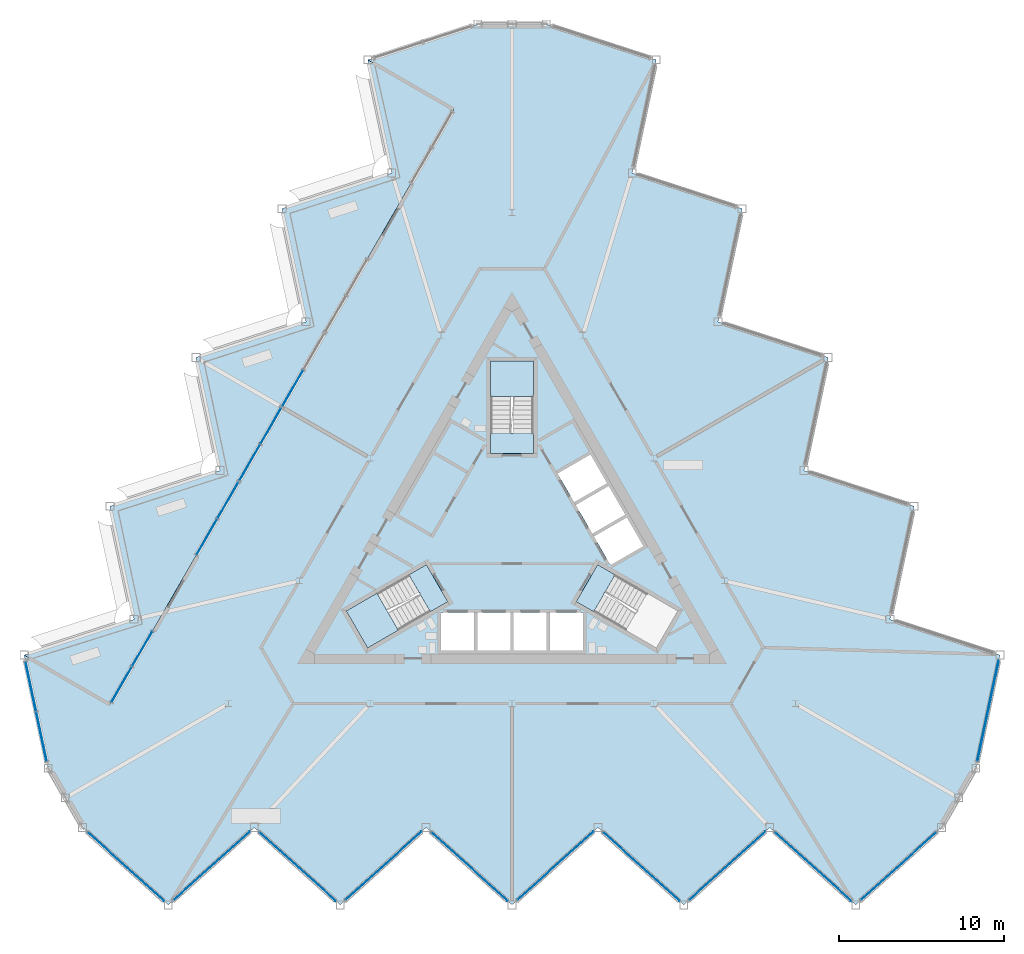
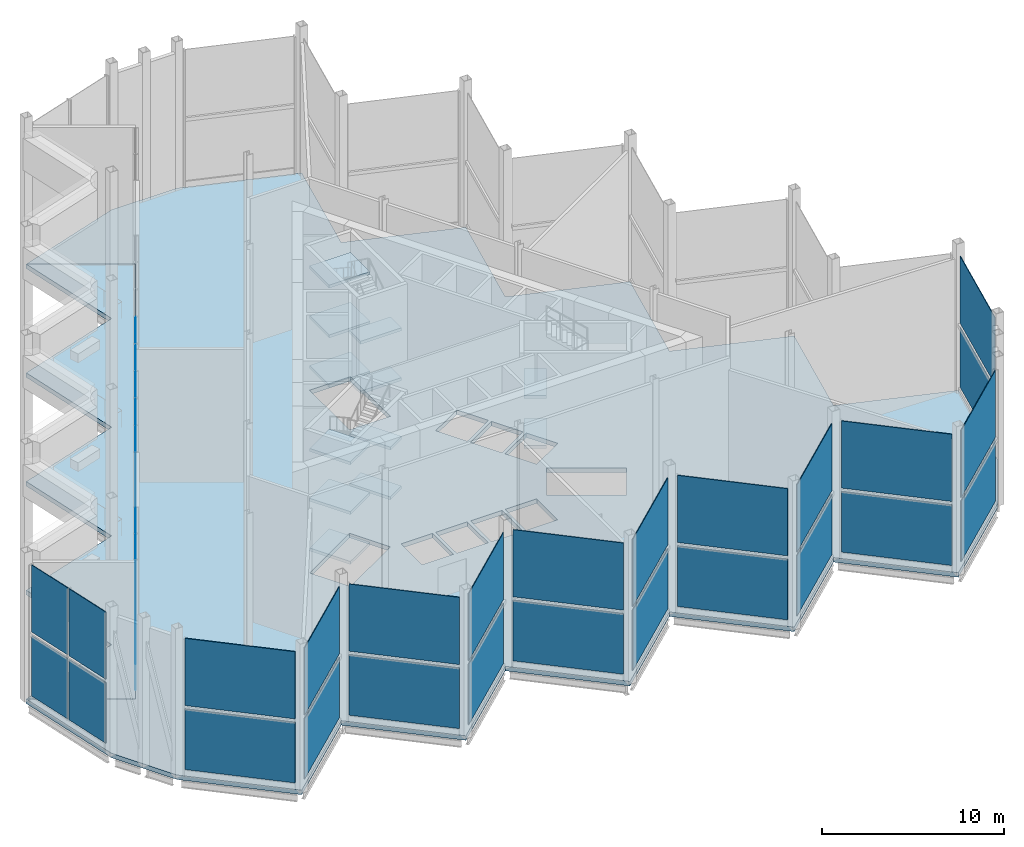
# One storey, part 7 of 18: 40 plates, 14 slabs, 10 elements without a shape of their own.
"""IFC4 building model written with IfcOpenShell, lengths in metres."""

from ifc_helpers import new_model, si_unit, direction, frame, origin, origin_2d, place, context, subcontext, project, spatial, polyline, rectangle, outline, extrude, material, layer, layer_set, type_object, element, aggregate, save


model = new_model("IFC4")

# Units and contexts
model_context = context("Model", 3, precision=1e-05, world=origin(), true_north=direction((0.0, 1.0)))
body_context = subcontext(model_context, "Body", "Model", "MODEL_VIEW")
ifc_project = project(units=[si_unit("LENGTHUNIT", "METRE"), si_unit("AREAUNIT", "SQUARE_METRE"), si_unit("VOLUMEUNIT", "CUBIC_METRE"), si_unit("PLANEANGLEUNIT", "RADIAN"), si_unit("MASSUNIT", "GRAM", prefix="KILO")], contexts=[model_context])

# Site, building, storey
site_placement = place(None, origin())
site = spatial("IfcSite", under=ifc_project, at=site_placement, CompositionType="ELEMENT")
building_placement = place(site_placement, origin())
building = spatial("IfcBuilding", under=site, at=building_placement, Name="Cormorant Prow Tower", CompositionType="ELEMENT")
storey_placement = place(building_placement, frame((0.0, 0.0, 405.199951171875)))
storey = spatial("IfcBuildingStorey", under=building, at=storey_placement, Name="L93", CompositionType="ELEMENT", Elevation=405.199951171875)

# Slab
ifc_material_1 = material(Name="Concrete C40/50", Category="concrete")
ifc_layer_1 = layer(ifc_material_1, 0.300048828125)
ifc_layer_set_1 = layer_set([ifc_layer_1], Name="Concrete C40/50")
slab_type_1 = type_object("IfcSlabType", Name="Post-tensioned flat slab 300", PredefinedType="FLOOR", material=ifc_layer_set_1)
slab_1_placement = place(storey_placement, frame((0.0, 0.0, -0.300048828125)))
element("IfcSlab", 1, at=slab_1_placement, inside=storey, type_object=slab_type_1, Name="Floor slab L93", PredefinedType="FLOOR", context=body_context, shape_type="SweptSolid", body=[
    extrude(outline(polyline([(22.873779296875, -4.80712890625), (24.32861328125, 2.037353515625), (17.673828125, 4.199462890625), (19.128662109375, 11.0439453125), (12.473876953125, 13.206298828125), (13.9287109375, 20.050537109375), (7.273681640625, 22.212890625), (8.728515625, 29.05712890625), (2.07373046875, 31.219482421875), (0.0, 31.219482421875), (-2.07373046875, 31.219482421875), (-8.728515625, 29.05712890625), (-3.532470703125, 26.05712890625), (-24.33251953125, -9.969482421875), (-29.528564453125, -6.969482421875), (-28.07373046875, -13.813720703125), (-27.036865234375, -15.60986328125), (-26.0, -17.40576171875), (-20.800048828125, -22.087890625), (-15.60009765625, -17.40576171875), (-10.39990234375, -22.087890625), (-5.199951171875, -17.40576171875), (0.0, -22.087890625), (5.199951171875, -17.40576171875), (10.39990234375, -22.087890625), (15.60009765625, -17.40576171875), (20.800048828125, -22.087890625), (26.0, -17.40576171875), (27.036865234375, -15.60986328125), (28.07373046875, -13.813720703125), (29.528564453125, -6.969482421875), (22.873779296875, -4.80712890625)]), holes=[polyline([(-4.300048828125, -4.39990234375), (-2.300048828125, -4.39990234375), (-2.300048828125, -6.699951171875), (-4.300048828125, -6.699951171875), (-4.300048828125, -4.39990234375)]), polyline([(-0.10009765625, -4.39990234375), (-0.10009765625, -6.699951171875), (-2.10009765625, -6.699951171875), (-2.10009765625, -4.39990234375), (-0.10009765625, -4.39990234375)]), polyline([(2.10009765625, -6.699951171875), (0.10009765625, -6.699951171875), (0.10009765625, -4.39990234375), (2.10009765625, -4.39990234375), (2.10009765625, -6.699951171875)]), polyline([(2.300048828125, -6.699951171875), (2.300048828125, -4.39990234375), (4.300048828125, -4.39990234375), (4.300048828125, -6.699951171875), (2.300048828125, -6.699951171875)]), polyline([(5.96044921875, -1.52392578125), (4.96044921875, 0.2080078125), (6.952392578125, 1.358154296875), (7.952392578125, -0.373779296875), (5.96044921875, -1.52392578125)]), polyline([(3.860595703125, 2.11328125), (5.852294921875, 3.263427734375), (6.852294921875, 1.53125), (4.860595703125, 0.38134765625), (3.860595703125, 2.11328125)]), polyline([(4.75244140625, 5.168701171875), (5.75244140625, 3.4365234375), (3.760498046875, 2.28662109375), (2.760498046875, 4.018798828125), (4.75244140625, 5.168701171875)]), polyline([(-4.947509765625, -4.3505859375), (-8.738037109375, -6.5390625), (-10.031982421875, -4.2978515625), (-6.241455078125, -2.109375), (-4.947509765625, -4.3505859375)]), polyline([(10.031982421875, -4.2978515625), (8.738037109375, -6.5390625), (4.947509765625, -4.3505859375), (6.241455078125, -2.109375), (10.031982421875, -4.2978515625)]), polyline([(1.2939453125, 10.8369140625), (1.2939453125, 6.459716796875), (-1.2939453125, 6.459716796875), (-1.2939453125, 10.8369140625), (1.2939453125, 10.8369140625)])]), origin(), (0.0, 0.0, 1.0), 0.300048828125),
])

# Curtain wall, plates
ifc_material_2 = material(Name="Aluminium 6063-T6", Category="aluminium")
ifc_layer_2 = layer(ifc_material_2, 0.300048828125)
ifc_layer_set_2 = layer_set([ifc_layer_2], Name="Aluminium 6063-T6")
curtain_wall_type = type_object("IfcCurtainWallType", Name="Sky lobby unitised curtain wall 300", PredefinedType="NOTDEFINED", material=ifc_layer_set_2)
curtain_wall_1_placement = place(storey_placement, origin())
curtain_wall_1 = element("IfcCurtainWall", 2, at=curtain_wall_1_placement, inside=storey, type_object=curtain_wall_type, Name="Sky lobby curtain wall S00-S09", PredefinedType="NOTDEFINED")
ifc_material_3 = material(Name="Clear glass", Category="glass")
ifc_layer_3 = layer(ifc_material_3, 0.0439453125)
ifc_layer_set_3 = layer_set([ifc_layer_3], Name="Clear glass")
plate_type = type_object("IfcPlateType", Name="Sky lobby glass panel 44", PredefinedType="CURTAIN_PANEL", material=ifc_layer_set_3)
plate_1_placement = place(storey_placement, frame((-23.370361328125, -19.7734375, 0.4501953125), z_axis=(0.0, 0.0, 1.0), x_axis=(0.743144827638, -0.669130603959, 0.0)))
plate_1 = element("IfcPlate", 3, at=plate_1_placement, type_object=plate_type, Name="Sky lobby glass panel S00-S09", PredefinedType="CURTAIN_PANEL", context=body_context, shape_type="SweptSolid", body=[
    extrude(rectangle(XDim=6.185302734375, YDim=0.0439453125, at=origin_2d()), origin(), (0.0, 0.0, 1.0), 4.047119140625),
])
plate_2_placement = place(storey_placement, frame((-23.370361328125, -19.7734375, 4.7373046875), z_axis=(0.0, 0.0, 1.0), x_axis=(0.743144827638, -0.669130603959, 0.0)))
plate_2 = element("IfcPlate", 4, at=plate_2_placement, type_object=plate_type, Name="Sky lobby glass panel S00-S09", PredefinedType="CURTAIN_PANEL", context=body_context, shape_type="SweptSolid", body=[
    extrude(rectangle(XDim=6.185302734375, YDim=0.0439453125, at=origin_2d()), origin(), (0.0, 0.0, 1.0), 4.496826171875),
])
plate_3_placement = place(storey_placement, frame((-18.170166015625, -19.719970703125, 0.4501953125), z_axis=(0.0, 0.0, 1.0), x_axis=(0.743144827638, 0.669130603959, 0.0)))
plate_3 = element("IfcPlate", 5, at=plate_3_placement, type_object=plate_type, Name="Sky lobby glass panel S00-S09", PredefinedType="CURTAIN_PANEL", context=body_context, shape_type="SweptSolid", body=[
    extrude(rectangle(XDim=6.185302734375, YDim=0.0439453125, at=origin_2d()), origin(), (0.0, 0.0, 1.0), 4.047119140625),
])
plate_4_placement = place(storey_placement, frame((-18.170166015625, -19.719970703125, 4.7373046875), z_axis=(0.0, 0.0, 1.0), x_axis=(0.743144827638, 0.669130603959, 0.0)))
plate_4 = element("IfcPlate", 6, at=plate_4_placement, type_object=plate_type, Name="Sky lobby glass panel S00-S09", PredefinedType="CURTAIN_PANEL", context=body_context, shape_type="SweptSolid", body=[
    extrude(rectangle(XDim=6.185302734375, YDim=0.0439453125, at=origin_2d()), origin(), (0.0, 0.0, 1.0), 4.496826171875),
])
plate_5_placement = place(storey_placement, frame((-12.97021484375, -19.7734375, 0.4501953125), z_axis=(0.0, 0.0, 1.0), x_axis=(0.743144827638, -0.669130603959, 0.0)))
plate_5 = element("IfcPlate", 7, at=plate_5_placement, type_object=plate_type, Name="Sky lobby glass panel S00-S09", PredefinedType="CURTAIN_PANEL", context=body_context, shape_type="SweptSolid", body=[
    extrude(rectangle(XDim=6.185302734375, YDim=0.0439453125, at=origin_2d()), origin(), (0.0, 0.0, 1.0), 4.047119140625),
])
plate_6_placement = place(storey_placement, frame((-12.97021484375, -19.7734375, 4.7373046875), z_axis=(0.0, 0.0, 1.0), x_axis=(0.743144827638, -0.669130603959, 0.0)))
plate_6 = element("IfcPlate", 8, at=plate_6_placement, type_object=plate_type, Name="Sky lobby glass panel S00-S09", PredefinedType="CURTAIN_PANEL", context=body_context, shape_type="SweptSolid", body=[
    extrude(rectangle(XDim=6.185302734375, YDim=0.0439453125, at=origin_2d()), origin(), (0.0, 0.0, 1.0), 4.496826171875),
])
plate_7_placement = place(storey_placement, frame((-7.770263671875, -19.719970703125, 0.4501953125), z_axis=(0.0, 0.0, 1.0), x_axis=(0.743144827638, 0.669130603959, 0.0)))
plate_7 = element("IfcPlate", 9, at=plate_7_placement, type_object=plate_type, Name="Sky lobby glass panel S00-S09", PredefinedType="CURTAIN_PANEL", context=body_context, shape_type="SweptSolid", body=[
    extrude(rectangle(XDim=6.185302734375, YDim=0.0439453125, at=origin_2d()), origin(), (0.0, 0.0, 1.0), 4.047119140625),
])
plate_8_placement = place(storey_placement, frame((-7.770263671875, -19.719970703125, 4.7373046875), z_axis=(0.0, 0.0, 1.0), x_axis=(0.743144827638, 0.669130603959, 0.0)))
plate_8 = element("IfcPlate", 10, at=plate_8_placement, type_object=plate_type, Name="Sky lobby glass panel S00-S09", PredefinedType="CURTAIN_PANEL", context=body_context, shape_type="SweptSolid", body=[
    extrude(rectangle(XDim=6.185302734375, YDim=0.0439453125, at=origin_2d()), origin(), (0.0, 0.0, 1.0), 4.496826171875),
])
plate_9_placement = place(storey_placement, frame((-2.5703125, -19.7734375, 0.4501953125), z_axis=(0.0, 0.0, 1.0), x_axis=(0.743144827638, -0.669130603959, 0.0)))
plate_9 = element("IfcPlate", 11, at=plate_9_placement, type_object=plate_type, Name="Sky lobby glass panel S00-S09", PredefinedType="CURTAIN_PANEL", context=body_context, shape_type="SweptSolid", body=[
    extrude(rectangle(XDim=6.185302734375, YDim=0.0439453125, at=origin_2d()), origin(), (0.0, 0.0, 1.0), 4.047119140625),
])
plate_10_placement = place(storey_placement, frame((-2.5703125, -19.7734375, 4.7373046875), z_axis=(0.0, 0.0, 1.0), x_axis=(0.743144827638, -0.669130603959, 0.0)))
plate_10 = element("IfcPlate", 12, at=plate_10_placement, type_object=plate_type, Name="Sky lobby glass panel S00-S09", PredefinedType="CURTAIN_PANEL", context=body_context, shape_type="SweptSolid", body=[
    extrude(rectangle(XDim=6.185302734375, YDim=0.0439453125, at=origin_2d()), origin(), (0.0, 0.0, 1.0), 4.496826171875),
])
plate_11_placement = place(storey_placement, frame((2.629638671875, -19.719970703125, 0.4501953125), z_axis=(0.0, 0.0, 1.0), x_axis=(0.743144827638, 0.669130603959, 0.0)))
plate_11 = element("IfcPlate", 13, at=plate_11_placement, type_object=plate_type, Name="Sky lobby glass panel S00-S09", PredefinedType="CURTAIN_PANEL", context=body_context, shape_type="SweptSolid", body=[
    extrude(rectangle(XDim=6.185302734375, YDim=0.0439453125, at=origin_2d()), origin(), (0.0, 0.0, 1.0), 4.047119140625),
])
plate_12_placement = place(storey_placement, frame((2.629638671875, -19.719970703125, 4.7373046875), z_axis=(0.0, 0.0, 1.0), x_axis=(0.743144827638, 0.669130603959, 0.0)))
plate_12 = element("IfcPlate", 14, at=plate_12_placement, type_object=plate_type, Name="Sky lobby glass panel S00-S09", PredefinedType="CURTAIN_PANEL", context=body_context, shape_type="SweptSolid", body=[
    extrude(rectangle(XDim=6.185302734375, YDim=0.0439453125, at=origin_2d()), origin(), (0.0, 0.0, 1.0), 4.496826171875),
])
plate_13_placement = place(storey_placement, frame((7.829833984375, -19.7734375, 0.4501953125), z_axis=(0.0, 0.0, 1.0), x_axis=(0.743144827638, -0.669130603959, 0.0)))
plate_13 = element("IfcPlate", 15, at=plate_13_placement, type_object=plate_type, Name="Sky lobby glass panel S00-S09", PredefinedType="CURTAIN_PANEL", context=body_context, shape_type="SweptSolid", body=[
    extrude(rectangle(XDim=6.185302734375, YDim=0.0439453125, at=origin_2d()), origin(), (0.0, 0.0, 1.0), 4.047119140625),
])
plate_14_placement = place(storey_placement, frame((7.829833984375, -19.7734375, 4.7373046875), z_axis=(0.0, 0.0, 1.0), x_axis=(0.743144827638, -0.669130603959, 0.0)))
plate_14 = element("IfcPlate", 16, at=plate_14_placement, type_object=plate_type, Name="Sky lobby glass panel S00-S09", PredefinedType="CURTAIN_PANEL", context=body_context, shape_type="SweptSolid", body=[
    extrude(rectangle(XDim=6.185302734375, YDim=0.0439453125, at=origin_2d()), origin(), (0.0, 0.0, 1.0), 4.496826171875),
])
plate_15_placement = place(storey_placement, frame((13.02978515625, -19.719970703125, 0.4501953125), z_axis=(0.0, 0.0, 1.0), x_axis=(0.743144827638, 0.669130603959, 0.0)))
plate_15 = element("IfcPlate", 17, at=plate_15_placement, type_object=plate_type, Name="Sky lobby glass panel S00-S09", PredefinedType="CURTAIN_PANEL", context=body_context, shape_type="SweptSolid", body=[
    extrude(rectangle(XDim=6.185302734375, YDim=0.0439453125, at=origin_2d()), origin(), (0.0, 0.0, 1.0), 4.047119140625),
])
plate_16_placement = place(storey_placement, frame((13.02978515625, -19.719970703125, 4.7373046875), z_axis=(0.0, 0.0, 1.0), x_axis=(0.743144827638, 0.669130603959, 0.0)))
plate_16 = element("IfcPlate", 18, at=plate_16_placement, type_object=plate_type, Name="Sky lobby glass panel S00-S09", PredefinedType="CURTAIN_PANEL", context=body_context, shape_type="SweptSolid", body=[
    extrude(rectangle(XDim=6.185302734375, YDim=0.0439453125, at=origin_2d()), origin(), (0.0, 0.0, 1.0), 4.496826171875),
])
plate_17_placement = place(storey_placement, frame((18.229736328125, -19.7734375, 0.4501953125), z_axis=(0.0, 0.0, 1.0), x_axis=(0.743144827638, -0.669130603959, 0.0)))
plate_17 = element("IfcPlate", 19, at=plate_17_placement, type_object=plate_type, Name="Sky lobby glass panel S00-S09", PredefinedType="CURTAIN_PANEL", context=body_context, shape_type="SweptSolid", body=[
    extrude(rectangle(XDim=6.185302734375, YDim=0.0439453125, at=origin_2d()), origin(), (0.0, 0.0, 1.0), 4.047119140625),
])
plate_18_placement = place(storey_placement, frame((18.229736328125, -19.7734375, 4.7373046875), z_axis=(0.0, 0.0, 1.0), x_axis=(0.743144827638, -0.669130603959, 0.0)))
plate_18 = element("IfcPlate", 20, at=plate_18_placement, type_object=plate_type, Name="Sky lobby glass panel S00-S09", PredefinedType="CURTAIN_PANEL", context=body_context, shape_type="SweptSolid", body=[
    extrude(rectangle(XDim=6.185302734375, YDim=0.0439453125, at=origin_2d()), origin(), (0.0, 0.0, 1.0), 4.496826171875),
])
plate_19_placement = place(storey_placement, frame((23.39990234375, -19.746826171875, 0.4501953125), z_axis=(0.0, 0.0, 1.0), x_axis=(0.743144827638, 0.669130603959, 0.0)))
plate_19 = element("IfcPlate", 21, at=plate_19_placement, type_object=plate_type, Name="Sky lobby glass panel S00-S09", PredefinedType="CURTAIN_PANEL", context=body_context, shape_type="SweptSolid", body=[
    extrude(rectangle(XDim=6.105224609375, YDim=0.0439453125, at=origin_2d()), origin(), (0.0, 0.0, 1.0), 4.047119140625),
])
plate_20_placement = place(storey_placement, frame((23.39990234375, -19.746826171875, 4.7373046875), z_axis=(0.0, 0.0, 1.0), x_axis=(0.743144827638, 0.669130603959, 0.0)))
plate_20 = element("IfcPlate", 22, at=plate_20_placement, type_object=plate_type, Name="Sky lobby glass panel S00-S09", PredefinedType="CURTAIN_PANEL", context=body_context, shape_type="SweptSolid", body=[
    extrude(rectangle(XDim=6.105224609375, YDim=0.0439453125, at=origin_2d()), origin(), (0.0, 0.0, 1.0), 4.496826171875),
])
aggregate(curtain_wall_1, [plate_1, plate_2, plate_3, plate_4, plate_5, plate_6, plate_7, plate_8, plate_9, plate_10, plate_11, plate_12, plate_13, plate_14, plate_15, plate_16, plate_17, plate_18, plate_19, plate_20])

curtain_wall_2_placement = place(storey_placement, origin())
curtain_wall_2 = element("IfcCurtainWall", 23, at=curtain_wall_2_placement, inside=storey, type_object=curtain_wall_type, Name="Sky lobby curtain wall ENE00-ENE09", PredefinedType="NOTDEFINED")
plate_21_placement = place(storey_placement, frame((28.8095703125, -10.3525390625, 0.4501953125), z_axis=(0.0, 0.0, 1.0), x_axis=(0.207911620089, 0.978147615768, 0.0)))
plate_21 = element("IfcPlate", 24, at=plate_21_placement, type_object=plate_type, Name="Sky lobby glass panel ENE00-ENE09", PredefinedType="CURTAIN_PANEL", context=body_context, shape_type="SweptSolid", body=[
    extrude(rectangle(XDim=6.185302734375, YDim=0.0439453125, at=origin_2d()), origin(), (0.0, 0.0, 1.0), 4.047119140625),
])
plate_22_placement = place(storey_placement, frame((28.8095703125, -10.3525390625, 4.7373046875), z_axis=(0.0, 0.0, 1.0), x_axis=(0.207911620089, 0.978147615768, 0.0)))
plate_22 = element("IfcPlate", 25, at=plate_22_placement, type_object=plate_type, Name="Sky lobby glass panel ENE00-ENE09", PredefinedType="CURTAIN_PANEL", context=body_context, shape_type="SweptSolid", body=[
    extrude(rectangle(XDim=6.185302734375, YDim=0.0439453125, at=origin_2d()), origin(), (0.0, 0.0, 1.0), 4.496826171875),
])
aggregate(curtain_wall_2, [plate_21, plate_22])

curtain_wall_3_placement = place(storey_placement, origin())
curtain_wall_3 = element("IfcCurtainWall", 26, at=curtain_wall_3_placement, inside=storey, type_object=curtain_wall_type, Name="Sky lobby curtain wall WNW09", PredefinedType="NOTDEFINED")
plate_23_placement = place(storey_placement, frame((-29.122802734375, -8.879150390625, 0.4501953125), z_axis=(0.0, 0.0, 1.0), x_axis=(0.207911620089, -0.978147615768, 0.0)))
plate_23 = element("IfcPlate", 27, at=plate_23_placement, type_object=plate_type, Name="Sky lobby glass panel WNW09", PredefinedType="CURTAIN_PANEL", context=body_context, shape_type="SweptSolid", body=[
    extrude(rectangle(XDim=3.0126953125, YDim=0.0439453125, at=origin_2d()), origin(), (0.0, 0.0, 1.0), 4.047119140625),
])
plate_24_placement = place(storey_placement, frame((-28.479736328125, -11.904052734375, 0.4501953125), z_axis=(0.0, 0.0, 1.0), x_axis=(0.207911620089, -0.978147615768, 0.0)))
plate_24 = element("IfcPlate", 28, at=plate_24_placement, type_object=plate_type, Name="Sky lobby glass panel WNW09", PredefinedType="CURTAIN_PANEL", context=body_context, shape_type="SweptSolid", body=[
    extrude(rectangle(XDim=3.0126953125, YDim=0.0439453125, at=origin_2d()), origin(), (0.0, 0.0, 1.0), 4.047119140625),
])
plate_25_placement = place(storey_placement, frame((-29.122802734375, -8.879150390625, 4.7373046875), z_axis=(0.0, 0.0, 1.0), x_axis=(0.207911620089, -0.978147615768, 0.0)))
plate_25 = element("IfcPlate", 29, at=plate_25_placement, type_object=plate_type, Name="Sky lobby glass panel WNW09", PredefinedType="CURTAIN_PANEL", context=body_context, shape_type="SweptSolid", body=[
    extrude(rectangle(XDim=3.0126953125, YDim=0.0439453125, at=origin_2d()), origin(), (0.0, 0.0, 1.0), 4.496826171875),
])
plate_26_placement = place(storey_placement, frame((-28.479736328125, -11.904052734375, 4.7373046875), z_axis=(0.0, 0.0, 1.0), x_axis=(0.207911620089, -0.978147615768, 0.0)))
plate_26 = element("IfcPlate", 30, at=plate_26_placement, type_object=plate_type, Name="Sky lobby glass panel WNW09", PredefinedType="CURTAIN_PANEL", context=body_context, shape_type="SweptSolid", body=[
    extrude(rectangle(XDim=3.0126953125, YDim=0.0439453125, at=origin_2d()), origin(), (0.0, 0.0, 1.0), 4.496826171875),
])
aggregate(curtain_wall_3, [plate_23, plate_24, plate_25, plate_26])

curtain_wall_4_placement = place(storey_placement, origin())
curtain_wall_4 = element("IfcCurtainWall", 31, at=curtain_wall_4_placement, inside=storey, type_object=curtain_wall_type, Name="Sky lobby curtain wall loggia WNW04", PredefinedType="NOTDEFINED")
plate_27_placement = place(storey_placement, frame((-13.2724609375, 9.18701171875, 0.4501953125), z_axis=(0.0, 0.0, 1.0), x_axis=(-0.499999991641, -0.86602540861, 0.0)))
plate_27 = element("IfcPlate", 32, at=plate_27_placement, type_object=plate_type, Name="Sky lobby glass panel loggia WNW04", PredefinedType="CURTAIN_PANEL", context=body_context, shape_type="SweptSolid", body=[
    extrude(rectangle(XDim=2.47998046875, YDim=0.0439453125, at=origin_2d()), origin(), (0.0, 0.0, 1.0), 4.047119140625),
])
plate_28_placement = place(storey_placement, frame((-13.2724609375, 9.18701171875, 4.7373046875), z_axis=(0.0, 0.0, 1.0), x_axis=(-0.499999991641, -0.86602540861, 0.0)))
plate_28 = element("IfcPlate", 33, at=plate_28_placement, type_object=plate_type, Name="Sky lobby glass panel loggia WNW04", PredefinedType="CURTAIN_PANEL", context=body_context, shape_type="SweptSolid", body=[
    extrude(rectangle(XDim=2.47998046875, YDim=0.0439453125, at=origin_2d()), origin(), (0.0, 0.0, 1.0), 4.496826171875),
])
aggregate(curtain_wall_4, [plate_27, plate_28])

curtain_wall_5_placement = place(storey_placement, origin())
curtain_wall_5 = element("IfcCurtainWall", 34, at=curtain_wall_5_placement, inside=storey, type_object=curtain_wall_type, Name="Sky lobby curtain wall loggia WNW05", PredefinedType="NOTDEFINED")
plate_29_placement = place(storey_placement, frame((-14.592529296875, 6.90087890625, 0.4501953125), z_axis=(0.0, 0.0, 1.0), x_axis=(-0.499999991641, -0.86602540861, 0.0)))
plate_29 = element("IfcPlate", 35, at=plate_29_placement, type_object=plate_type, Name="Sky lobby glass panel loggia WNW05", PredefinedType="CURTAIN_PANEL", context=body_context, shape_type="SweptSolid", body=[
    extrude(rectangle(XDim=2.47998046875, YDim=0.0439453125, at=origin_2d()), origin(), (0.0, 0.0, 1.0), 4.047119140625),
])
plate_30_placement = place(storey_placement, frame((-15.87255859375, 4.683837890625, 0.4501953125), z_axis=(0.0, 0.0, 1.0), x_axis=(-0.499999991641, -0.86602540861, 0.0)))
plate_30 = element("IfcPlate", 36, at=plate_30_placement, type_object=plate_type, Name="Sky lobby glass panel loggia WNW05", PredefinedType="CURTAIN_PANEL", context=body_context, shape_type="SweptSolid", body=[
    extrude(rectangle(XDim=2.47998046875, YDim=0.0439453125, at=origin_2d()), origin(), (0.0, 0.0, 1.0), 4.047119140625),
])
plate_31_placement = place(storey_placement, frame((-14.592529296875, 6.90087890625, 4.7373046875), z_axis=(0.0, 0.0, 1.0), x_axis=(-0.499999991641, -0.86602540861, 0.0)))
plate_31 = element("IfcPlate", 37, at=plate_31_placement, type_object=plate_type, Name="Sky lobby glass panel loggia WNW05", PredefinedType="CURTAIN_PANEL", context=body_context, shape_type="SweptSolid", body=[
    extrude(rectangle(XDim=2.47998046875, YDim=0.0439453125, at=origin_2d()), origin(), (0.0, 0.0, 1.0), 4.496826171875),
])
plate_32_placement = place(storey_placement, frame((-15.87255859375, 4.683837890625, 4.7373046875), z_axis=(0.0, 0.0, 1.0), x_axis=(-0.499999991641, -0.86602540861, 0.0)))
plate_32 = element("IfcPlate", 38, at=plate_32_placement, type_object=plate_type, Name="Sky lobby glass panel loggia WNW05", PredefinedType="CURTAIN_PANEL", context=body_context, shape_type="SweptSolid", body=[
    extrude(rectangle(XDim=2.47998046875, YDim=0.0439453125, at=origin_2d()), origin(), (0.0, 0.0, 1.0), 4.496826171875),
])
aggregate(curtain_wall_5, [plate_29, plate_30, plate_31, plate_32])

curtain_wall_6_placement = place(storey_placement, origin())
curtain_wall_6 = element("IfcCurtainWall", 39, at=curtain_wall_6_placement, inside=storey, type_object=curtain_wall_type, Name="Sky lobby curtain wall loggia WNW06", PredefinedType="NOTDEFINED")
plate_33_placement = place(storey_placement, frame((-17.1923828125, 2.3974609375, 0.4501953125), z_axis=(0.0, 0.0, 1.0), x_axis=(-0.499999991641, -0.86602540861, 0.0)))
plate_33 = element("IfcPlate", 40, at=plate_33_placement, type_object=plate_type, Name="Sky lobby glass panel loggia WNW06", PredefinedType="CURTAIN_PANEL", context=body_context, shape_type="SweptSolid", body=[
    extrude(rectangle(XDim=2.47998046875, YDim=0.0439453125, at=origin_2d()), origin(), (0.0, 0.0, 1.0), 4.047119140625),
])
plate_34_placement = place(storey_placement, frame((-18.472412109375, 0.180419921875, 0.4501953125), z_axis=(0.0, 0.0, 1.0), x_axis=(-0.499999991641, -0.86602540861, 0.0)))
plate_34 = element("IfcPlate", 41, at=plate_34_placement, type_object=plate_type, Name="Sky lobby glass panel loggia WNW06", PredefinedType="CURTAIN_PANEL", context=body_context, shape_type="SweptSolid", body=[
    extrude(rectangle(XDim=2.47998046875, YDim=0.0439453125, at=origin_2d()), origin(), (0.0, 0.0, 1.0), 4.047119140625),
])
plate_35_placement = place(storey_placement, frame((-17.1923828125, 2.3974609375, 4.7373046875), z_axis=(0.0, 0.0, 1.0), x_axis=(-0.499999991641, -0.86602540861, 0.0)))
plate_35 = element("IfcPlate", 42, at=plate_35_placement, type_object=plate_type, Name="Sky lobby glass panel loggia WNW06", PredefinedType="CURTAIN_PANEL", context=body_context, shape_type="SweptSolid", body=[
    extrude(rectangle(XDim=2.47998046875, YDim=0.0439453125, at=origin_2d()), origin(), (0.0, 0.0, 1.0), 4.496826171875),
])
plate_36_placement = place(storey_placement, frame((-18.472412109375, 0.180419921875, 4.7373046875), z_axis=(0.0, 0.0, 1.0), x_axis=(-0.499999991641, -0.86602540861, 0.0)))
plate_36 = element("IfcPlate", 43, at=plate_36_placement, type_object=plate_type, Name="Sky lobby glass panel loggia WNW06", PredefinedType="CURTAIN_PANEL", context=body_context, shape_type="SweptSolid", body=[
    extrude(rectangle(XDim=2.47998046875, YDim=0.0439453125, at=origin_2d()), origin(), (0.0, 0.0, 1.0), 4.496826171875),
])
aggregate(curtain_wall_6, [plate_33, plate_34, plate_35, plate_36])

curtain_wall_7_placement = place(storey_placement, origin())
curtain_wall_7 = element("IfcCurtainWall", 44, at=curtain_wall_7_placement, inside=storey, type_object=curtain_wall_type, Name="Sky lobby curtain wall loggia WNW08", PredefinedType="NOTDEFINED")
plate_37_placement = place(storey_placement, frame((-22.378662109375, -6.58544921875, 0.4501953125), z_axis=(0.0, 0.0, 1.0), x_axis=(-0.499999991641, -0.86602540861, 0.0)))
plate_37 = element("IfcPlate", 45, at=plate_37_placement, type_object=plate_type, Name="Sky lobby glass panel loggia WNW08", PredefinedType="CURTAIN_PANEL", context=body_context, shape_type="SweptSolid", body=[
    extrude(rectangle(XDim=2.425048828125, YDim=0.0439453125, at=origin_2d()), origin(), (0.0, 0.0, 1.0), 4.047119140625),
])
plate_38_placement = place(storey_placement, frame((-23.631103515625, -8.7548828125, 0.4501953125), z_axis=(0.0, 0.0, 1.0), x_axis=(-0.499999991641, -0.86602540861, 0.0)))
plate_38 = element("IfcPlate", 46, at=plate_38_placement, type_object=plate_type, Name="Sky lobby glass panel loggia WNW08", PredefinedType="CURTAIN_PANEL", context=body_context, shape_type="SweptSolid", body=[
    extrude(rectangle(XDim=2.425048828125, YDim=0.0439453125, at=origin_2d()), origin(), (0.0, 0.0, 1.0), 4.047119140625),
])
plate_39_placement = place(storey_placement, frame((-22.378662109375, -6.58544921875, 4.7373046875), z_axis=(0.0, 0.0, 1.0), x_axis=(-0.499999991641, -0.86602540861, 0.0)))
plate_39 = element("IfcPlate", 47, at=plate_39_placement, type_object=plate_type, Name="Sky lobby glass panel loggia WNW08", PredefinedType="CURTAIN_PANEL", context=body_context, shape_type="SweptSolid", body=[
    extrude(rectangle(XDim=2.425048828125, YDim=0.0439453125, at=origin_2d()), origin(), (0.0, 0.0, 1.0), 4.496826171875),
])
plate_40_placement = place(storey_placement, frame((-23.631103515625, -8.7548828125, 4.7373046875), z_axis=(0.0, 0.0, 1.0), x_axis=(-0.499999991641, -0.86602540861, 0.0)))
plate_40 = element("IfcPlate", 48, at=plate_40_placement, type_object=plate_type, Name="Sky lobby glass panel loggia WNW08", PredefinedType="CURTAIN_PANEL", context=body_context, shape_type="SweptSolid", body=[
    extrude(rectangle(XDim=2.425048828125, YDim=0.0439453125, at=origin_2d()), origin(), (0.0, 0.0, 1.0), 4.496826171875),
])
aggregate(curtain_wall_7, [plate_37, plate_38, plate_39, plate_40])

# Stair, slabs
ifc_material_4 = material(Name="Exit stair 54 risers")
stair_type = type_object("IfcStairType", Name="Exit stair 54 risers", PredefinedType="HALF_TURN_STAIR", material=ifc_material_4)
stair_1_placement = place(storey_placement, origin())
stair_1 = element("IfcStair", 49, at=stair_1_placement, inside=storey, type_object=stair_type, Name="L93 Exit stair ST1", PredefinedType="HALF_TURN_STAIR")
ifc_material_5 = material(Name="Concrete 5000 psi", Category="concrete")
ifc_layer_4 = layer(ifc_material_5, 0.199951171875)
ifc_layer_set_4 = layer_set([ifc_layer_4], Name="Concrete 5000 psi")
slab_type_2 = type_object("IfcSlabType", Name="Stair landing 200", PredefinedType="LANDING", material=ifc_layer_set_4)
slab_2_placement = place(storey_placement, frame((0.0, 0.0, 1.466796875)))
slab_2 = element("IfcSlab", 50, at=slab_2_placement, type_object=slab_type_2, Name="ST1 landing 1", PredefinedType="LANDING", context=body_context, shape_type="SweptSolid", body=[
    extrude(outline(polyline([(-8.17431640625, -3.225341796875), (-10.031982421875, -4.2978515625), (-8.738037109375, -6.5390625), (-6.88037109375, -5.466552734375), (-8.17431640625, -3.225341796875)])), origin(), (0.0, 0.0, 1.0), 0.199951171875),
])
slab_3_placement = place(storey_placement, frame((0.0, 0.0, 3.13330078125)))
slab_3 = element("IfcSlab", 51, at=slab_3_placement, type_object=slab_type_2, Name="ST1 landing 2", PredefinedType="LANDING", context=body_context, shape_type="SweptSolid", body=[
    extrude(outline(polyline([(-5.18212890625, -1.497802734375), (-6.241455078125, -2.109375), (-4.947265625, -4.3505859375), (-3.88818359375, -3.739013671875), (-5.18212890625, -1.497802734375)])), origin(), (0.0, 0.0, 1.0), 0.2001953125),
])
slab_4_placement = place(storey_placement, frame((0.0, 0.0, 4.800048828125)))
slab_4 = element("IfcSlab", 52, at=slab_4_placement, type_object=slab_type_2, Name="ST1 landing 3", PredefinedType="LANDING", context=body_context, shape_type="SweptSolid", body=[
    extrude(outline(polyline([(-8.17431640625, -3.225341796875), (-10.031982421875, -4.2978515625), (-8.738037109375, -6.5390625), (-6.88037109375, -5.466552734375), (-8.17431640625, -3.225341796875)])), origin(), (0.0, 0.0, 1.0), 0.199951171875),
])
slab_5_placement = place(storey_placement, frame((0.0, 0.0, 6.466796875)))
slab_5 = element("IfcSlab", 53, at=slab_5_placement, type_object=slab_type_2, Name="ST1 landing 4", PredefinedType="LANDING", context=body_context, shape_type="SweptSolid", body=[
    extrude(outline(polyline([(-5.18212890625, -1.497802734375), (-6.241455078125, -2.109375), (-4.947265625, -4.3505859375), (-3.88818359375, -3.739013671875), (-5.18212890625, -1.497802734375)])), origin(), (0.0, 0.0, 1.0), 0.199951171875),
])
slab_6_placement = place(storey_placement, frame((0.0, 0.0, 8.13330078125)))
slab_6 = element("IfcSlab", 54, at=slab_6_placement, type_object=slab_type_2, Name="ST1 landing 5", PredefinedType="LANDING", context=body_context, shape_type="SweptSolid", body=[
    extrude(outline(polyline([(-8.17431640625, -3.225341796875), (-10.031982421875, -4.2978515625), (-8.738037109375, -6.5390625), (-6.88037109375, -5.466552734375), (-8.17431640625, -3.225341796875)])), origin(), (0.0, 0.0, 1.0), 0.2001953125),
])
aggregate(stair_1, [slab_2, slab_3, slab_4, slab_5, slab_6])

stair_2_placement = place(storey_placement, origin())
stair_2 = element("IfcStair", 55, at=stair_2_placement, inside=storey, type_object=stair_type, Name="L93 Exit stair ST2", PredefinedType="HALF_TURN_STAIR")
slab_7_placement = place(storey_placement, frame((0.0, 0.0, 3.13330078125)))
slab_7 = element("IfcSlab", 56, at=slab_7_placement, type_object=slab_type_2, Name="ST2 landing 2", PredefinedType="LANDING", context=body_context, shape_type="SweptSolid", body=[
    extrude(outline(polyline([(3.88818359375, -3.739013671875), (4.947265625, -4.3505859375), (6.241455078125, -2.109375), (5.18212890625, -1.497802734375), (3.88818359375, -3.739013671875)])), origin(), (0.0, 0.0, 1.0), 0.2001953125),
])
slab_8_placement = place(storey_placement, frame((0.0, 0.0, 6.466796875)))
slab_8 = element("IfcSlab", 57, at=slab_8_placement, type_object=slab_type_2, Name="ST2 landing 4", PredefinedType="LANDING", context=body_context, shape_type="SweptSolid", body=[
    extrude(outline(polyline([(3.88818359375, -3.739013671875), (4.947265625, -4.3505859375), (6.241455078125, -2.109375), (5.18212890625, -1.497802734375), (3.88818359375, -3.739013671875)])), origin(), (0.0, 0.0, 1.0), 0.199951171875),
])
aggregate(stair_2, [slab_7, slab_8])

stair_3_placement = place(storey_placement, origin())
stair_3 = element("IfcStair", 58, at=stair_3_placement, inside=storey, type_object=stair_type, Name="L93 Exit stair ST3", PredefinedType="HALF_TURN_STAIR")
slab_9_placement = place(storey_placement, frame((0.0, 0.0, 1.466796875)))
slab_9 = element("IfcSlab", 59, at=slab_9_placement, type_object=slab_type_2, Name="ST3 landing 1", PredefinedType="LANDING", context=body_context, shape_type="SweptSolid", body=[
    extrude(outline(polyline([(1.2939453125, 8.69189453125), (1.2939453125, 10.8369140625), (-1.2939453125, 10.8369140625), (-1.2939453125, 8.69189453125), (1.2939453125, 8.69189453125)])), origin(), (0.0, 0.0, 1.0), 0.199951171875),
])
slab_10_placement = place(storey_placement, frame((0.0, 0.0, 3.13330078125)))
slab_10 = element("IfcSlab", 60, at=slab_10_placement, type_object=slab_type_2, Name="ST3 landing 2", PredefinedType="LANDING", context=body_context, shape_type="SweptSolid", body=[
    extrude(outline(polyline([(1.2939453125, 5.23681640625), (1.2939453125, 6.459716796875), (-1.2939453125, 6.459716796875), (-1.2939453125, 5.23681640625), (1.2939453125, 5.23681640625)])), origin(), (0.0, 0.0, 1.0), 0.2001953125),
])
slab_11_placement = place(storey_placement, frame((0.0, 0.0, 4.800048828125)))
slab_11 = element("IfcSlab", 61, at=slab_11_placement, type_object=slab_type_2, Name="ST3 landing 3", PredefinedType="LANDING", context=body_context, shape_type="SweptSolid", body=[
    extrude(outline(polyline([(1.2939453125, 8.69189453125), (1.2939453125, 10.8369140625), (-1.2939453125, 10.8369140625), (-1.2939453125, 8.69189453125), (1.2939453125, 8.69189453125)])), origin(), (0.0, 0.0, 1.0), 0.199951171875),
])
slab_12_placement = place(storey_placement, frame((0.0, 0.0, 6.466796875)))
slab_12 = element("IfcSlab", 62, at=slab_12_placement, type_object=slab_type_2, Name="ST3 landing 4", PredefinedType="LANDING", context=body_context, shape_type="SweptSolid", body=[
    extrude(outline(polyline([(1.2939453125, 5.23681640625), (1.2939453125, 6.459716796875), (-1.2939453125, 6.459716796875), (-1.2939453125, 5.23681640625), (1.2939453125, 5.23681640625)])), origin(), (0.0, 0.0, 1.0), 0.199951171875),
])
slab_13_placement = place(storey_placement, frame((0.0, 0.0, 8.13330078125)))
slab_13 = element("IfcSlab", 63, at=slab_13_placement, type_object=slab_type_2, Name="ST3 landing 5", PredefinedType="LANDING", context=body_context, shape_type="SweptSolid", body=[
    extrude(outline(polyline([(1.2939453125, 8.69189453125), (1.2939453125, 10.8369140625), (-1.2939453125, 10.8369140625), (-1.2939453125, 8.69189453125), (1.2939453125, 8.69189453125)])), origin(), (0.0, 0.0, 1.0), 0.2001953125),
])
aggregate(stair_3, [slab_9, slab_10, slab_11, slab_12, slab_13])

# Slab
ifc_material_6 = material(Name="Concrete C40/50", Category="concrete")
ifc_layer_5 = layer(ifc_material_6, 0.300048828125)
ifc_layer_set_5 = layer_set([ifc_layer_5], Name="Concrete C40/50")
slab_type_3 = type_object("IfcSlabType", Name="Terrace slab 300", PredefinedType="FLOOR", material=ifc_layer_set_5)
slab_14_placement = place(storey_placement, frame((0.0, 0.0, -0.300048828125)))
element("IfcSlab", 64, at=slab_14_placement, inside=storey, type_object=slab_type_3, Name="Loggia terrace slab L93", PredefinedType="FLOOR", context=body_context, shape_type="SweptSolid", body=[
    extrude(outline(polyline([(-8.728515625, 29.05712890625), (-7.273681640625, 22.212890625), (-13.9287109375, 20.050537109375), (-12.473876953125, 13.206298828125), (-19.128662109375, 11.0439453125), (-17.673828125, 4.199462890625), (-24.32861328125, 2.037353515625), (-22.873779296875, -4.80712890625), (-29.528564453125, -6.969482421875), (-24.33251953125, -9.969482421875), (-3.532470703125, 26.05712890625), (-8.728515625, 29.05712890625)])), origin(), (0.0, 0.0, 1.0), 0.300048828125),
])

save(model, "model.ifc")
